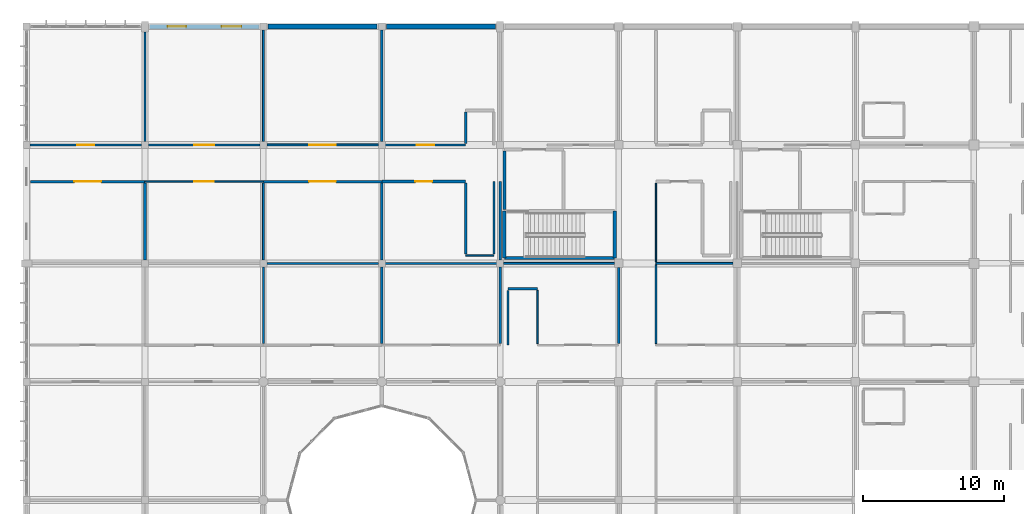
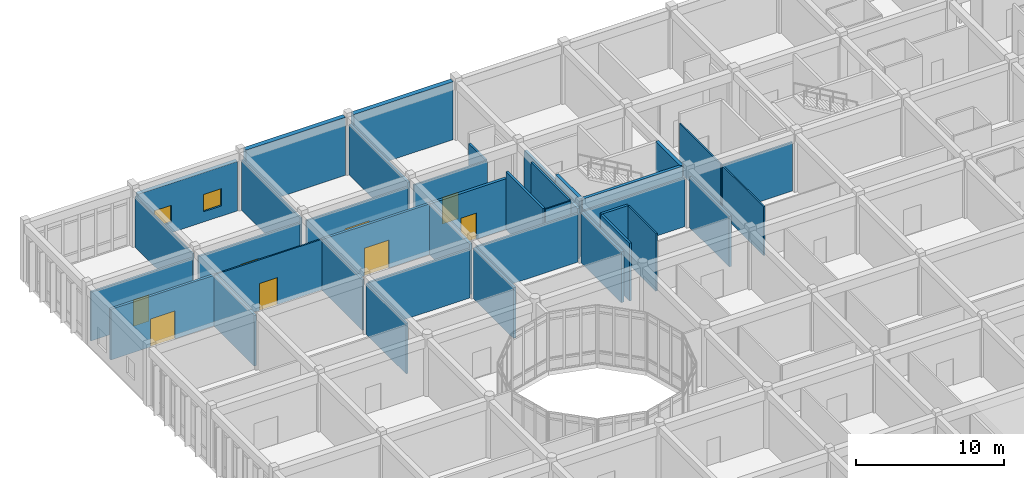
# One storey, part 99 of 134: 39 walls, 8 doors, 2 windows, 10 openings.
"""IFC4 building model written with IfcOpenShell, lengths in metres."""

import ifcopenshell
import ifcopenshell.guid

model = None  # the IFC model being written
_history = None  # IfcOwnerHistory: only IFC2X3 demands one
_inside = {}  # id of a spatial element -> (the spatial element, [elements in it])
_under = {}  # id of a project, library or spatial element -> (it, [spatial elements below it])
_declared = {}  # id of a project -> (the project, [libraries it declares])
_typed = {}  # id of a type object -> (the type object, [elements of that type])
_made_of = {}  # id of a material, layer set ... -> (it, [elements and type objects made of it])


def new_model(schema):
    """Start an empty IFC model of exactly this schema.

    Asked for "IFC4X3", IfcOpenShell would pick the latest addendum, in which some entities
    have other attributes; the version numbers below select the first issue.
    IFC2X3 requires an IfcOwnerHistory on every rooted entity: one is made here for all.
    """
    global model, _history
    if schema == "IFC4X3":
        model = ifcopenshell.file(schema_version=(4, 3, 0, 0))
    else:
        model = ifcopenshell.file(schema=schema)
    _inside.clear()
    _under.clear()
    _declared.clear()
    _typed.clear()
    _made_of.clear()
    _history = None
    if model.schema == "IFC2X3":
        org = make("IfcOrganization", Name="unknown")
        user = make(
            "IfcPersonAndOrganization",
            ThePerson=make("IfcPerson", FamilyName="unknown"),
            TheOrganization=org,
        )
        app = make(
            "IfcApplication",
            ApplicationDeveloper=org,
            Version="unknown",
            ApplicationFullName="unknown",
            ApplicationIdentifier="unknown",
        )
        _history = make(
            "IfcOwnerHistory",
            OwningUser=user,
            OwningApplication=app,
            ChangeAction="ADDED",
            CreationDate=0,
        )
    return model


def make(cls, **values):
    """One entity of the class cls with the attributes given. An attribute that is None is left unset."""
    return model.create_entity(
        cls, **{name: value for name, value in values.items() if value is not None}
    )


def rooted(cls, **values):
    """An entity with a GlobalId (a new one), such as an element, a storey or a relation."""
    return make(cls, GlobalId=ifcopenshell.guid.new(), OwnerHistory=_history, **values)


def si_unit(unit_type, name, prefix=None):
    """IfcSIUnit, for example si_unit("LENGTHUNIT", "METRE", prefix="MILLI")."""
    return make("IfcSIUnit", UnitType=unit_type, Prefix=prefix, Name=name)


def assignment(units):
    """IfcUnitAssignment: the units of a project."""
    return None if units is None else make("IfcUnitAssignment", Units=units)


def point(xyz):
    """IfcCartesianPoint."""
    return None if xyz is None else make("IfcCartesianPoint", Coordinates=xyz)


def direction(xyz):
    """IfcDirection."""
    return None if xyz is None else make("IfcDirection", DirectionRatios=xyz)


def frame(location, z_axis=None, x_axis=None):
    """IfcAxis2Placement3D, a coordinate frame: its origin and axes. An axis left out is left unset."""
    return make(
        "IfcAxis2Placement3D",
        Location=point(location),
        Axis=direction(z_axis),
        RefDirection=direction(x_axis),
    )


def frame_2d(location, x_axis=None):
    """IfcAxis2Placement2D, a coordinate frame in the plane: its origin and x axis."""
    return make(
        "IfcAxis2Placement2D", Location=point(location), RefDirection=direction(x_axis)
    )


def origin():
    """The frame at (0, 0, 0) with its axes left unset."""
    return frame((0.0, 0.0, 0.0))


def place(relative_to, where):
    """IfcLocalPlacement: puts the frame where relative to a parent placement (None: the world)."""
    return make(
        "IfcLocalPlacement", PlacementRelTo=relative_to, RelativePlacement=where
    )


def context(
    kind, dimensions, precision=None, world=None, true_north=None, identifier=None
):
    """IfcGeometricRepresentationContext, for example the 3D "Model" context."""
    return make(
        "IfcGeometricRepresentationContext",
        ContextIdentifier=identifier,
        ContextType=kind,
        CoordinateSpaceDimension=dimensions,
        Precision=precision,
        WorldCoordinateSystem=world,
        TrueNorth=true_north,
    )


def subcontext(parent, identifier, kind, view, scale=None):
    """IfcGeometricRepresentationSubContext, for example "Body" below "Model"."""
    return make(
        "IfcGeometricRepresentationSubContext",
        ContextIdentifier=identifier,
        ContextType=kind,
        ParentContext=parent,
        TargetScale=scale,
        TargetView=view,
    )


def project(units=None, contexts=None):
    """IfcProject with its units and contexts."""
    return rooted(
        "IfcProject",
        Name="project",
        RepresentationContexts=contexts,
        UnitsInContext=assignment(units),
    )


def spatial(cls, under=None, at=None, **own):
    """A site, building, storey or space (cls), placed at a placement, below another one or the project."""
    s = rooted(cls, ObjectPlacement=at, **own)
    if under is not None:
        _under.setdefault(under.id(), (under, []))[1].append(s)
    return s


def profile(cls, at=None, kind="AREA", **sizes):
    """A parametric profile (cls). Its sizes go by their IFC names, for example OverallWidth=200.0."""
    return make(cls, ProfileType=kind, Position=at, **sizes)


def rectangle(**sizes):
    """IfcRectangleProfileDef."""
    return profile("IfcRectangleProfileDef", **sizes)


def extrude(swept, where, along, depth):
    """IfcExtrudedAreaSolid: the profile swept, set in the frame where, extruded along a direction by depth."""
    return make(
        "IfcExtrudedAreaSolid",
        SweptArea=swept,
        Position=where,
        ExtrudedDirection=direction(along),
        Depth=depth,
    )


def shape(context_of_items, identifier, shape_type, items):
    """IfcShapeRepresentation: the items that make up one representation, for example the "Body"."""
    return make(
        "IfcShapeRepresentation",
        ContextOfItems=context_of_items,
        RepresentationIdentifier=identifier,
        RepresentationType=shape_type,
        Items=items,
    )


def material(Name=None, Category=None):
    """IfcMaterial."""
    return make("IfcMaterial", Name=Name, Category=Category)


def layer(
    of_material, thickness, ventilated=None, Name=None, Category=None, Priority=None
):
    """IfcMaterialLayer: one layer of a wall or slab, of a material (None: an air gap)."""
    return make(
        "IfcMaterialLayer",
        Material=of_material,
        LayerThickness=thickness,
        IsVentilated=ventilated,
        Name=Name,
        Category=Category,
        Priority=Priority,
    )


def layer_set(layers, Name=None):
    """IfcMaterialLayerSet."""
    return make("IfcMaterialLayerSet", MaterialLayers=layers, LayerSetName=Name)


def made_of(thing, what):
    """Note that an element or type object is made of a material, layer set ...; save() writes the relation."""
    if what is not None:
        _made_of.setdefault(what.id(), (what, []))[1].append(thing)
    return thing


def type_object(cls, material=None, **own):
    """A type object (cls), such as IfcWallType, which elements share."""
    return made_of(rooted(cls, **own), material)


def element(
    cls,
    number,
    at=None,
    inside=None,
    cuts=None,
    type_object=None,
    material=None,
    context=None,
    identifier="Body",
    shape_type=None,
    held_by="IfcProductDefinitionShape",
    body=None,
    shapes=None,
    **own,
):
    """One element of the class cls, such as IfcWall. Its Tag is "e" and its number.

    at: its placement. inside: the storey or other place that contains it. cuts: it is an
    opening in that element (IfcRelVoidsElement). A single representation is given by context,
    identifier, shape_type and body (its items); several are given by shapes. held_by: the class
    of the entity that holds the representations. save() writes the other relations.
    """
    e = rooted(cls, Tag="e%d" % number, ObjectPlacement=at, **own)
    if body is not None:
        shapes = [shape(context, identifier, shape_type, body)]
    if shapes is not None:
        e.Representation = make(held_by, Representations=shapes)
    if inside is not None:
        _inside.setdefault(inside.id(), (inside, []))[1].append(e)
    if cuts is not None:
        rooted(
            "IfcRelVoidsElement", RelatingBuildingElement=cuts, RelatedOpeningElement=e
        )
    if type_object is not None:
        _typed.setdefault(type_object.id(), (type_object, []))[1].append(e)
    return made_of(e, material)


def fill(opening, filler):
    """IfcRelFillsElement: the door or window that sits in an opening."""
    return rooted(
        "IfcRelFillsElement",
        RelatingOpeningElement=opening,
        RelatedBuildingElement=filler,
    )


def aggregate(whole, parts):
    """IfcRelAggregates: a whole, such as a stair, and the parts it consists of."""
    return rooted("IfcRelAggregates", RelatingObject=whole, RelatedObjects=parts)


def save(model, path):
    """Write the relations noted so far, then the file.

    IfcRelAggregates (storeys below a building ...), IfcRelContainedInSpatialStructure (elements
    in a storey), IfcRelDefinesByType, IfcRelAssociatesMaterial and IfcRelDeclares: one each for
    every whole, place, type object, material and project.
    """
    for whole, parts in _under.values():
        aggregate(whole, parts)
    for where, things in _inside.values():
        rooted(
            "IfcRelContainedInSpatialStructure",
            RelatedElements=things,
            RelatingStructure=where,
        )
    for kind, things in _typed.values():
        rooted("IfcRelDefinesByType", RelatedObjects=things, RelatingType=kind)
    for what, things in _made_of.values():
        rooted("IfcRelAssociatesMaterial", RelatedObjects=things, RelatingMaterial=what)
    for by, libraries in _declared.values():
        rooted("IfcRelDeclares", RelatingContext=by, RelatedDefinitions=libraries)
    model.write(path)


model = new_model("IFC4")

# Units and contexts
model_context = context("Model", 3, precision=1e-05, world=origin(), true_north=direction((0.0, 1.0)))
body_context = subcontext(model_context, "Body", "Model", "MODEL_VIEW")
ifc_project = project(units=[si_unit("LENGTHUNIT", "METRE"), si_unit("AREAUNIT", "SQUARE_METRE"), si_unit("VOLUMEUNIT", "CUBIC_METRE"), si_unit("PLANEANGLEUNIT", "RADIAN"), si_unit("MASSUNIT", "GRAM", prefix="KILO")], contexts=[model_context])

# Site, building, storey
site_placement = place(None, origin())
site = spatial("IfcSite", under=ifc_project, at=site_placement, CompositionType="ELEMENT")
building_placement = place(site_placement, origin())
building = spatial("IfcBuilding", under=site, at=building_placement, Name="Bramfleet General Hospital", CompositionType="ELEMENT")
storey_placement = place(building_placement, frame((0.0, 0.0, 9.300048828125)))
storey = spatial("IfcBuildingStorey", under=building, at=storey_placement, Name="L02", CompositionType="ELEMENT", Elevation=9.300048828125)

# Walls
ifc_material_1 = material(Name="Concrete C35/45", Category="concrete")
ifc_layer_1 = layer(ifc_material_1, 0.360107421875, Name="WT-EW-02")
ifc_layer_set_1 = layer_set([ifc_layer_1], Name="Concrete C35/45")
wall_type_1 = type_object("IfcWallType", Name="WT-EW-02", PredefinedType="SOLIDWALL", material=ifc_layer_set_1)
for number, where, z_axis, x_axis, name in (
    (1, (17.125, 117.60009765625, 0.0), (0.0, 0.0, 1.0), (1.0, 0.0, 0.0), "L02 North REI 90-M Party Wall 199"),
    (2, (25.52490234375, 117.60009765625, 0.0), (0.0, 0.0, 1.0), (1.0, 0.0, 0.0), "L02 North REI 90-M Party Wall 200"),
):
    element("IfcWall", number, at=place(storey_placement, frame(where, z_axis=z_axis, x_axis=x_axis)), inside=storey, type_object=wall_type_1, Name=name, PredefinedType="SOLIDWALL", context=body_context, shape_type="SweptSolid", body=[
        extrude(rectangle(XDim=7.75, YDim=0.360107421875, at=frame_2d((3.875, 0.0))), origin(), (0.0, 0.0, 1.0), 4.780029296875),
    ])

# Wall, openings, windows
ifc_material_2 = material(Name="Precast concrete C40/50", Category="concrete")
ifc_layer_2 = layer(ifc_material_2, 0.31494140625, Name="WT-EW-04")
ifc_layer_set_2 = layer_set([ifc_layer_2], Name="Precast concrete C40/50")
wall_type_2 = type_object("IfcWallType", Name="WT-EW-04", PredefinedType="SOLIDWALL", material=ifc_layer_set_2)
wall_1_placement = place(storey_placement, frame((8.72509765625, 117.60009765625, 0.0), z_axis=(0.0, 0.0, 1.0), x_axis=(1.0, 0.0, 0.0)))
wall_1 = element("IfcWall", 3, at=wall_1_placement, inside=storey, type_object=wall_type_2, Name="L02 Exterior Wall 198", PredefinedType="SOLIDWALL", context=body_context, shape_type="SweptSolid", body=[
    extrude(rectangle(XDim=7.75, YDim=0.31494140625, at=frame_2d((3.875, 0.0))), origin(), (0.0, 0.0, 1.0), 4.070068359375),
])
opening_1_placement = place(wall_1_placement, frame((1.28759765625, 0.0, 0.85009765625)))
opening_1 = element("IfcOpeningElement", 4, at=opening_1_placement, cuts=wall_1, Name="Opening W-14", PredefinedType="OPENING", context=body_context, shape_type="SweptSolid", body=[
    extrude(rectangle(XDim=1.300048828125, YDim=1.419921875, at=frame_2d((0.64990234375, 0.7099609375))), frame((0.0, 0.16748046875, 0.0), z_axis=(0.0, -1.0, 0.0), x_axis=(1.0, 0.0, 0.0)), (0.0, 0.0, 1.0), 0.3349609375),
])
opening_2_placement = place(wall_1_placement, frame((5.112548828125, 0.0, 0.85009765625)))
opening_2 = element("IfcOpeningElement", 5, at=opening_2_placement, cuts=wall_1, Name="Opening W-15", PredefinedType="OPENING", context=body_context, shape_type="SweptSolid", body=[
    extrude(rectangle(XDim=1.39990234375, YDim=1.419921875, at=frame_2d((0.699951171875, 0.7099609375))), frame((0.0, 0.16748046875, 0.0), z_axis=(0.0, -1.0, 0.0), x_axis=(1.0, 0.0, 0.0)), (0.0, 0.0, 1.0), 0.3349609375),
])
ifc_material_3 = material(Name="Anodised aluminium and low-E triple glazing", Category="aluminium")
window_type_1 = type_object("IfcWindowType", Name="WIN-W-14", PartitioningType="SINGLE_PANEL", PredefinedType="WINDOW", material=ifc_material_3)
window_1_placement = place(opening_1_placement, origin())
window_1 = element("IfcWindow", 6, at=window_1_placement, inside=storey, type_object=window_type_1, Name="L02 Facade Window WIN-L02-198-1", OverallHeight=1.419921875, OverallWidth=1.300048828125, PartitioningType="SINGLE_PANEL", PredefinedType="WINDOW", context=body_context, shape_type="SweptSolid", body=[
    extrude(rectangle(XDim=1.300048828125, YDim=1.419921875, at=frame_2d((0.64990234375, 0.7099609375))), frame((0.0, 0.030029296875, 0.0), z_axis=(0.0, -1.0, 0.0), x_axis=(1.0, 0.0, 0.0)), (0.0, 0.0, 1.0), 0.06005859375),
])
fill(opening_1, window_1)
window_type_2 = type_object("IfcWindowType", Name="WIN-W-15", PartitioningType="SINGLE_PANEL", PredefinedType="WINDOW", material=ifc_material_3)
window_2_placement = place(opening_2_placement, origin())
window_2 = element("IfcWindow", 7, at=window_2_placement, inside=storey, type_object=window_type_2, Name="L02 Facade Window WIN-L02-198-2", OverallHeight=1.419921875, OverallWidth=1.39990234375, PartitioningType="SINGLE_PANEL", PredefinedType="WINDOW", context=body_context, shape_type="SweptSolid", body=[
    extrude(rectangle(XDim=1.39990234375, YDim=1.419921875, at=frame_2d((0.699951171875, 0.7099609375))), frame((0.0, 0.030029296875, 0.0), z_axis=(0.0, -1.0, 0.0), x_axis=(1.0, 0.0, 0.0)), (0.0, 0.0, 1.0), 0.06005859375),
])
fill(opening_2, window_2)

# Wall, opening, door
ifc_layer_3 = layer(ifc_material_1, 0.219970703125, Name="WT-IW-01")
ifc_layer_set_3 = layer_set([ifc_layer_3], Name="Concrete C35/45")
wall_type_3 = type_object("IfcWallType", Name="WT-IW-01", PredefinedType="PARTITIONING", material=ifc_layer_set_3)
wall_2_placement = place(storey_placement, frame((25.199951171875, 106.60009765625, 0.0), z_axis=(0.0, 0.0, 1.0), x_axis=(1.0, 0.0, 0.0)))
wall_2 = element("IfcWall", 8, at=wall_2_placement, inside=storey, type_object=wall_type_3, Name="L02 Interior Partition IW-L02-2149", PredefinedType="PARTITIONING", context=body_context, shape_type="SweptSolid", body=[
    extrude(rectangle(XDim=5.949951171875, YDim=0.219970703125, at=frame_2d((2.97509765625, 0.0))), origin(), (0.0, 0.0, 1.0), 4.169921875),
])
opening_3_placement = place(wall_2_placement, frame((2.375, 0.0, 0.0)))
opening_3 = element("IfcOpeningElement", 9, at=opening_3_placement, cuts=wall_2, Name="Opening D0877", PredefinedType="OPENING", context=body_context, shape_type="SweptSolid", body=[
    extrude(rectangle(XDim=1.199951171875, YDim=2.14990234375, at=frame_2d((0.60009765625, 1.074951171875))), frame((0.0, 0.119873046875, 0.0), z_axis=(0.0, -1.0, 0.0), x_axis=(1.0, 0.0, 0.0)), (0.0, 0.0, 1.0), 0.239990234375),
])
ifc_material_4 = material(Name="Stainless steel and acoustic timber leaf", Category="steel")
door_type_1 = type_object("IfcDoorType", Name="DR-D-13", OperationType="NOTDEFINED", PredefinedType="DOOR", material=ifc_material_4)
door_1_placement = place(opening_3_placement, origin())
door_1 = element("IfcDoor", 10, at=door_1_placement, inside=storey, type_object=door_type_1, Name="Post-Anaesthesia Recovery Ward Bay L02-0312 Door D0877", OperationType="SINGLE_SWING_RIGHT", OverallHeight=2.14990234375, OverallWidth=1.199951171875, PredefinedType="DOOR", context=body_context, shape_type="SweptSolid", body=[
    extrude(rectangle(XDim=1.199951171875, YDim=2.14990234375, at=frame_2d((0.60009765625, 1.074951171875))), frame((0.0, 0.02490234375, 0.0), z_axis=(0.0, -1.0, 0.0), x_axis=(1.0, 0.0, 0.0)), (0.0, 0.0, 1.0), 0.050048828125),
])
fill(opening_3, door_1)

# Walls
ifc_layer_4 = layer(ifc_material_1, 0.205078125, Name="WT-IW-02")
ifc_layer_set_4 = layer_set([ifc_layer_4], Name="Concrete C35/45")
wall_type_4 = type_object("IfcWallType", Name="WT-IW-02", PredefinedType="PARTITIONING", material=ifc_layer_set_4)
wall_3_placement = place(storey_placement, frame((33.89990234375, 104.639892578125, 0.0), z_axis=(0.0, 0.0, 1.0), x_axis=(0.0, 1.0, 0.0)))
element("IfcWall", 11, at=wall_3_placement, inside=storey, type_object=wall_type_4, Name="L02 C8 Lobby West Compartment Wall", PredefinedType="PARTITIONING", context=body_context, shape_type="SweptSolid", body=[
    extrude(rectangle(XDim=4.1201171875, YDim=0.205078125, at=frame_2d((2.06005859375, 0.0))), origin(), (0.0, 0.0, 1.0), 4.169921875),
])
for number, where, z_axis, x_axis, name in (
    (12, (25.199951171875, 95.114990234375, 0.0), (0.0, 0.0, 1.0), (0.0, 1.0, 0.0), "L02 Interior Partition IW-L02-2222"),
    (13, (33.60009765625, 95.114990234375, 0.0), (0.0, 0.0, 1.0), (0.0, 1.0, 0.0), "L02 Interior Partition IW-L02-2234"),
):
    element("IfcWall", number, at=place(storey_placement, frame(where, z_axis=z_axis, x_axis=x_axis)), inside=storey, type_object=wall_type_4, Name=name, PredefinedType="PARTITIONING", context=body_context, shape_type="SweptSolid", body=[
        extrude(rectangle(XDim=5.43994140625, YDim=0.205078125, at=frame_2d((2.719970703125, 0.0))), origin(), (0.0, 0.0, 1.0), 4.169921875),
    ])
ifc_layer_5 = layer(ifc_material_1, 0.18994140625, Name="WT-IW-03")
ifc_layer_set_5 = layer_set([ifc_layer_5], Name="Concrete C35/45")
wall_type_5 = type_object("IfcWallType", Name="WT-IW-03", PredefinedType="PARTITIONING", material=ifc_layer_set_5)
wall_4_placement = place(storey_placement, frame((34.14990234375, 99.0, 0.0), z_axis=(0.0, 0.0, 1.0), x_axis=(1.0, 0.0, 0.0)))
element("IfcWall", 14, at=wall_4_placement, inside=storey, type_object=wall_type_5, Name="L02 Interior Partition IW-L02-2115", PredefinedType="PARTITIONING", context=body_context, shape_type="SweptSolid", body=[
    extrude(rectangle(XDim=2.10009765625, YDim=0.18994140625, at=frame_2d((1.050048828125, 0.0))), origin(), (0.0, 0.0, 1.0), 4.77001953125),
])

# Wall, opening, door
wall_5_placement = place(storey_placement, frame((0.280029296875, 106.60009765625, 0.0), z_axis=(0.0, 0.0, 1.0), x_axis=(1.0, 0.0, 0.0)))
wall_5 = element("IfcWall", 15, at=wall_5_placement, inside=storey, type_object=wall_type_5, Name="L02 Interior Partition IW-L02-2146", PredefinedType="PARTITIONING", context=body_context, shape_type="SweptSolid", body=[
    extrude(rectangle(XDim=8.119873046875, YDim=0.18994140625, at=frame_2d((4.06005859375, 0.0))), origin(), (0.0, 0.0, 1.0), 4.169921875),
])
opening_4_placement = place(wall_5_placement, frame((3.110107421875, 0.0, 0.0)))
opening_4 = element("IfcOpeningElement", 16, at=opening_4_placement, cuts=wall_5, Name="Opening D0854", PredefinedType="OPENING", context=body_context, shape_type="SweptSolid", body=[
    extrude(rectangle(XDim=1.89990234375, YDim=2.300048828125, at=frame_2d((0.949951171875, 1.14990234375))), frame((0.0, 0.10498046875, 0.0), z_axis=(0.0, -1.0, 0.0), x_axis=(1.0, 0.0, 0.0)), (0.0, 0.0, 1.0), 0.2099609375),
])
door_type_2 = type_object("IfcDoorType", Name="DR-D-06", OperationType="NOTDEFINED", PredefinedType="DOOR", material=ifc_material_4)
door_2_placement = place(opening_4_placement, origin())
door_2 = element("IfcDoor", 17, at=door_2_placement, inside=storey, type_object=door_type_2, Name="Operating Theatre 4 Door D0854", OperationType="SLIDING_TO_LEFT", OverallHeight=2.300048828125, OverallWidth=1.89990234375, PredefinedType="DOOR", context=body_context, shape_type="SweptSolid", body=[
    extrude(rectangle(XDim=1.89990234375, YDim=2.300048828125, at=frame_2d((0.949951171875, 1.14990234375))), frame((0.0, 0.02490234375, 0.0), z_axis=(0.0, -1.0, 0.0), x_axis=(1.0, 0.0, 0.0)), (0.0, 0.0, 1.0), 0.050048828125),
])
fill(opening_4, door_2)

wall_6_placement = place(storey_placement, frame((16.800048828125, 106.60009765625, 0.0), z_axis=(0.0, 0.0, 1.0), x_axis=(1.0, 0.0, 0.0)))
wall_6 = element("IfcWall", 18, at=wall_6_placement, inside=storey, type_object=wall_type_5, Name="L02 Interior Partition IW-L02-2148", PredefinedType="PARTITIONING", context=body_context, shape_type="SweptSolid", body=[
    extrude(rectangle(XDim=8.39990234375, YDim=0.18994140625, at=frame_2d((4.199951171875, 0.0))), origin(), (0.0, 0.0, 1.0), 4.169921875),
])
opening_5_placement = place(wall_6_placement, frame((3.25, 0.0, 0.0)))
opening_5 = element("IfcOpeningElement", 19, at=opening_5_placement, cuts=wall_6, Name="Opening D0869", PredefinedType="OPENING", context=body_context, shape_type="SweptSolid", body=[
    extrude(rectangle(XDim=1.89990234375, YDim=2.300048828125, at=frame_2d((0.949951171875, 1.14990234375))), frame((0.0, 0.10498046875, 0.0), z_axis=(0.0, -1.0, 0.0), x_axis=(1.0, 0.0, 0.0)), (0.0, 0.0, 1.0), 0.2099609375),
])
door_3_placement = place(opening_5_placement, origin())
door_3 = element("IfcDoor", 20, at=door_3_placement, inside=storey, type_object=door_type_2, Name="Operating Theatre 5 Door D0869", OperationType="SLIDING_TO_LEFT", OverallHeight=2.300048828125, OverallWidth=1.89990234375, PredefinedType="DOOR", context=body_context, shape_type="SweptSolid", body=[
    extrude(rectangle(XDim=1.89990234375, YDim=2.300048828125, at=frame_2d((0.949951171875, 1.14990234375))), frame((0.0, 0.02490234375, 0.0), z_axis=(0.0, -1.0, 0.0), x_axis=(1.0, 0.0, 0.0)), (0.0, 0.0, 1.0), 0.050048828125),
])
fill(opening_5, door_3)

# Walls
for number, where, z_axis, x_axis, name in (
    (21, (8.39990234375, 101.044921875, 0.0), (0.0, 0.0, 1.0), (0.0, 1.0, 0.0), "L02 Interior Partition IW-L02-2206"),
    (22, (25.199951171875, 101.044921875, 0.0), (0.0, 0.0, 1.0), (0.0, 1.0, 0.0), "L02 Interior Partition IW-L02-2223"),
):
    element("IfcWall", number, at=place(storey_placement, frame(where, z_axis=z_axis, x_axis=x_axis)), inside=storey, type_object=wall_type_5, Name=name, PredefinedType="PARTITIONING", context=body_context, shape_type="SweptSolid", body=[
        extrude(rectangle(XDim=5.440185546875, YDim=0.18994140625, at=frame_2d((2.72021484375, 0.0))), origin(), (0.0, 0.0, 1.0), 4.169921875),
    ])
wall_7_placement = place(storey_placement, frame((33.60009765625, 101.044921875, 0.0), z_axis=(0.0, 0.0, 1.0), x_axis=(0.0, 1.0, 0.0)))
element("IfcWall", 23, at=wall_7_placement, inside=storey, type_object=wall_type_5, Name="L02 Interior Partition IW-L02-2235", PredefinedType="PARTITIONING", context=body_context, shape_type="SweptSolid", body=[
    extrude(rectangle(XDim=5.55517578125, YDim=0.18994140625, at=frame_2d((2.777587890625, 0.0))), origin(), (0.0, 0.0, 1.0), 4.169921875),
])
ifc_layer_6 = layer(ifc_material_1, 0.179931640625, Name="WT-IW-04")
ifc_layer_set_6 = layer_set([ifc_layer_6], Name="Concrete C35/45")
wall_type_6 = type_object("IfcWallType", Name="WT-IW-04", PredefinedType="PARTITIONING", material=ifc_layer_set_6)
wall_8_placement = place(storey_placement, frame((25.199951171875, 109.445068359375, 0.0), z_axis=(0.0, 0.0, 1.0), x_axis=(0.0, 1.0, 0.0)))
element("IfcWall", 24, at=wall_8_placement, inside=storey, type_object=wall_type_6, Name="L02 Interior Partition IW-L02-2224", PredefinedType="PARTITIONING", context=body_context, shape_type="SweptSolid", body=[
    extrude(rectangle(XDim=7.909912109375, YDim=0.179931640625, at=frame_2d((3.955078125, 0.0))), origin(), (0.0, 0.0, 1.0), 4.169921875),
])
ifc_material_5 = material(Name="Gypsum plasterboard on acoustic steel studs", Category="steel")
ifc_layer_7 = layer(ifc_material_5, 0.169921875, Name="WT-IW-05")
ifc_layer_set_7 = layer_set([ifc_layer_7], Name="Gypsum plasterboard on acoustic steel studs")
wall_type_7 = type_object("IfcWallType", Name="WT-IW-05", PredefinedType="PARTITIONING", material=ifc_layer_set_7)
wall_9_placement = place(storey_placement, frame((31.14990234375, 101.465087890625, 0.0), z_axis=(0.0, 0.0, 1.0), x_axis=(0.0, 1.0, 0.0)))
element("IfcWall", 25, at=wall_9_placement, inside=storey, type_object=wall_type_7, Name="L02 Interior Partition IW-L02-2225", PredefinedType="PARTITIONING", context=body_context, shape_type="SweptSolid", body=[
    extrude(rectangle(XDim=5.02001953125, YDim=0.169921875, at=frame_2d((2.510009765625, 0.0))), origin(), (0.0, 0.0, 1.0), 4.77001953125),
])
wall_10_placement = place(storey_placement, frame((34.14990234375, 95.0, 0.0), z_axis=(0.0, 0.0, 1.0), x_axis=(0.0, 1.0, 0.0)))
element("IfcWall", 26, at=wall_10_placement, inside=storey, type_object=wall_type_7, Name="L02 Interior Partition IW-L02-2237", PredefinedType="PARTITIONING", context=body_context, shape_type="SweptSolid", body=[
    extrude(rectangle(XDim=3.885009765625, YDim=0.169921875, at=frame_2d((1.9423828125, 0.0))), origin(), (0.0, 0.0, 1.0), 4.77001953125),
])
wall_11_placement = place(storey_placement, frame((42.0, 95.114990234375, 0.0), z_axis=(0.0, 0.0, 1.0), x_axis=(0.0, 1.0, 0.0)))
element("IfcWall", 27, at=wall_11_placement, inside=storey, type_object=wall_type_7, Name="L02 Interior Partition IW-L02-2249", PredefinedType="PARTITIONING", context=body_context, shape_type="SweptSolid", body=[
    extrude(rectangle(XDim=5.389892578125, YDim=0.169921875, at=frame_2d((2.69482421875, 0.0))), origin(), (0.0, 0.0, 1.0), 4.169921875),
])
ifc_layer_8 = layer(ifc_material_5, 0.159912109375, Name="WT-IW-06")
ifc_layer_set_8 = layer_set([ifc_layer_8], Name="Gypsum plasterboard on acoustic steel studs")
wall_type_8 = type_object("IfcWallType", Name="WT-IW-06", PredefinedType="PARTITIONING", material=ifc_layer_set_8)
wall_12_placement = place(storey_placement, frame((17.044921875, 100.800048828125, 0.0), z_axis=(0.0, 0.0, 1.0), x_axis=(1.0, 0.0, 0.0)))
element("IfcWall", 28, at=wall_12_placement, inside=storey, type_object=wall_type_8, Name="L02 Interior Partition IW-L02-2118", PredefinedType="PARTITIONING", context=body_context, shape_type="SweptSolid", body=[
    extrude(rectangle(XDim=7.91015625, YDim=0.159912109375, at=frame_2d((3.955078125, 0.0))), origin(), (0.0, 0.0, 1.0), 4.02001953125),
])

# Wall, opening, door
wall_13_placement = place(storey_placement, frame((0.2451171875, 109.199951171875, 0.0), z_axis=(0.0, 0.0, 1.0), x_axis=(1.0, 0.0, 0.0)))
wall_13 = element("IfcWall", 29, at=wall_13_placement, inside=storey, type_object=wall_type_8, Name="L02 Interior Partition IW-L02-2166", PredefinedType="PARTITIONING", context=body_context, shape_type="SweptSolid", body=[
    extrude(rectangle(XDim=7.909912109375, YDim=0.159912109375, at=frame_2d((3.955078125, 0.0))), origin(), (0.0, 0.0, 1.0), 4.02001953125),
])
opening_6_placement = place(wall_13_placement, frame((3.344970703125, 0.0, 0.0)))
opening_6 = element("IfcOpeningElement", 30, at=opening_6_placement, cuts=wall_13, Name="Opening D0855", PredefinedType="OPENING", context=body_context, shape_type="SweptSolid", body=[
    extrude(rectangle(XDim=1.219970703125, YDim=2.179931640625, at=frame_2d((0.60986328125, 1.08984375))), frame((0.0, 0.08984375, 0.0), z_axis=(0.0, -1.0, 0.0), x_axis=(1.0, 0.0, 0.0)), (0.0, 0.0, 1.0), 0.179931640625),
])
door_type_3 = type_object("IfcDoorType", Name="DR-D-23", OperationType="NOTDEFINED", PredefinedType="DOOR", material=ifc_material_4)
door_4_placement = place(opening_6_placement, origin())
door_4 = element("IfcDoor", 31, at=door_4_placement, inside=storey, type_object=door_type_3, Name="Surgical Scrub and Anaesthetic Induction 0013 Door D0855", OperationType="SINGLE_SWING_RIGHT", OverallHeight=2.179931640625, OverallWidth=1.219970703125, PredefinedType="DOOR", context=body_context, shape_type="SweptSolid", body=[
    extrude(rectangle(XDim=1.219970703125, YDim=2.179931640625, at=frame_2d((0.60986328125, 1.08984375))), frame((0.0, 0.02490234375, 0.0), z_axis=(0.0, -1.0, 0.0), x_axis=(1.0, 0.0, 0.0)), (0.0, 0.0, 1.0), 0.050048828125),
])
fill(opening_6, door_4)

# Walls
wall_14_placement = place(storey_placement, frame((31.14990234375, 109.31494140625, 0.0), z_axis=(0.0, 0.0, 1.0), x_axis=(0.0, 1.0, 0.0)))
element("IfcWall", 32, at=wall_14_placement, inside=storey, type_object=wall_type_8, Name="L02 Interior Partition IW-L02-2226", PredefinedType="PARTITIONING", context=body_context, shape_type="SweptSolid", body=[
    extrude(rectangle(XDim=2.219970703125, YDim=0.159912109375, at=frame_2d((1.10986328125, 0.0))), origin(), (0.0, 0.0, 1.0), 4.02001953125),
])
ifc_layer_9 = layer(ifc_material_5, 0.14990234375, Name="WT-IW-07")
ifc_layer_set_9 = layer_set([ifc_layer_9], Name="Gypsum plasterboard on acoustic steel studs")
wall_type_9 = type_object("IfcWallType", Name="WT-IW-07", PredefinedType="PARTITIONING", material=ifc_layer_set_9)
wall_15_placement = place(storey_placement, frame((25.445068359375, 100.800048828125, 0.0), z_axis=(0.0, 0.0, 1.0), x_axis=(1.0, 0.0, 0.0)))
element("IfcWall", 33, at=wall_15_placement, inside=storey, type_object=wall_type_9, Name="L02 Interior Partition IW-L02-2119", PredefinedType="PARTITIONING", context=body_context, shape_type="SweptSolid", body=[
    extrude(rectangle(XDim=7.909912109375, YDim=0.14990234375, at=frame_2d((3.955078125, 0.0))), origin(), (0.0, 0.0, 1.0), 4.02001953125),
])

# Wall, opening, door
wall_16_placement = place(storey_placement, frame((8.64501953125, 109.199951171875, 0.0), z_axis=(0.0, 0.0, 1.0), x_axis=(1.0, 0.0, 0.0)))
wall_16 = element("IfcWall", 34, at=wall_16_placement, inside=storey, type_object=wall_type_9, Name="L02 Interior Partition IW-L02-2167", PredefinedType="PARTITIONING", context=body_context, shape_type="SweptSolid", body=[
    extrude(rectangle(XDim=7.909912109375, YDim=0.14990234375, at=frame_2d((3.955078125, 0.0))), origin(), (0.0, 0.0, 1.0), 4.02001953125),
])
opening_7_placement = place(wall_16_placement, frame((3.2451171875, 0.0, 0.0)))
opening_7 = element("IfcOpeningElement", 35, at=opening_7_placement, cuts=wall_16, Name="Opening D0863", PredefinedType="OPENING", context=body_context, shape_type="SweptSolid", body=[
    extrude(rectangle(XDim=1.419921875, YDim=2.219970703125, at=frame_2d((0.7099609375, 1.10986328125))), frame((0.0, 0.0849609375, 0.0), z_axis=(0.0, -1.0, 0.0), x_axis=(1.0, 0.0, 0.0)), (0.0, 0.0, 1.0), 0.169921875),
])
door_type_4 = type_object("IfcDoorType", Name="DR-D-31", OperationType="NOTDEFINED", PredefinedType="DOOR", material=ifc_material_4)
door_5_placement = place(opening_7_placement, origin())
door_5 = element("IfcDoor", 36, at=door_5_placement, inside=storey, type_object=door_type_4, Name="Surgical Scrub and Anaesthetic Induction 0113 Door D0863", OperationType="SINGLE_SWING_RIGHT", OverallHeight=2.219970703125, OverallWidth=1.419921875, PredefinedType="DOOR", context=body_context, shape_type="SweptSolid", body=[
    extrude(rectangle(XDim=1.419921875, YDim=2.219970703125, at=frame_2d((0.7099609375, 1.10986328125))), frame((0.0, 0.02490234375, 0.0), z_axis=(0.0, -1.0, 0.0), x_axis=(1.0, 0.0, 0.0)), (0.0, 0.0, 1.0), 0.050048828125),
])
fill(opening_7, door_5)

# Walls
wall_17_placement = place(storey_placement, frame((16.800048828125, 95.114990234375, 0.0), z_axis=(0.0, 0.0, 1.0), x_axis=(0.0, 1.0, 0.0)))
element("IfcWall", 37, at=wall_17_placement, inside=storey, type_object=wall_type_9, Name="L02 Interior Partition IW-L02-2215", PredefinedType="PARTITIONING", context=body_context, shape_type="SweptSolid", body=[
    extrude(rectangle(XDim=5.43994140625, YDim=0.14990234375, at=frame_2d((2.719970703125, 0.0))), origin(), (0.0, 0.0, 1.0), 4.169921875),
])
wall_18_placement = place(storey_placement, frame((33.14990234375, 101.465087890625, 0.0), z_axis=(0.0, 0.0, 1.0), x_axis=(0.0, 1.0, 0.0)))
element("IfcWall", 38, at=wall_18_placement, inside=storey, type_object=wall_type_9, Name="L02 Interior Partition IW-L02-2227", PredefinedType="PARTITIONING", context=body_context, shape_type="SweptSolid", body=[
    extrude(rectangle(XDim=5.135009765625, YDim=0.14990234375, at=frame_2d((2.5673828125, 0.0))), origin(), (0.0, 0.0, 1.0), 4.77001953125),
])
ifc_layer_10 = layer(ifc_material_5, 0.139892578125, Name="WT-IW-08")
ifc_layer_set_10 = layer_set([ifc_layer_10], Name="Gypsum plasterboard on acoustic steel studs")
wall_type_10 = type_object("IfcWallType", Name="WT-IW-08", PredefinedType="PARTITIONING", material=ifc_layer_set_10)
wall_19_placement = place(storey_placement, frame((33.844970703125, 100.800048828125, 0.0), z_axis=(0.0, 0.0, 1.0), x_axis=(1.0, 0.0, 0.0)))
element("IfcWall", 39, at=wall_19_placement, inside=storey, type_object=wall_type_10, Name="L02 Interior Partition IW-L02-2120", PredefinedType="PARTITIONING", context=body_context, shape_type="SweptSolid", body=[
    extrude(rectangle(XDim=7.860107421875, YDim=0.139892578125, at=frame_2d((3.93017578125, 0.0))), origin(), (0.0, 0.0, 1.0), 4.02001953125),
])

# Wall, opening, door
wall_20_placement = place(storey_placement, frame((17.044921875, 109.199951171875, 0.0), z_axis=(0.0, 0.0, 1.0), x_axis=(1.0, 0.0, 0.0)))
wall_20 = element("IfcWall", 40, at=wall_20_placement, inside=storey, type_object=wall_type_10, Name="L02 Interior Partition IW-L02-2168", PredefinedType="PARTITIONING", context=body_context, shape_type="SweptSolid", body=[
    extrude(rectangle(XDim=7.91015625, YDim=0.139892578125, at=frame_2d((3.955078125, 0.0))), origin(), (0.0, 0.0, 1.0), 4.02001953125),
])
opening_8_placement = place(wall_20_placement, frame((3.0048828125, 0.0, 0.0)))
opening_8 = element("IfcOpeningElement", 41, at=opening_8_placement, cuts=wall_20, Name="Opening D0870", PredefinedType="OPENING", context=body_context, shape_type="SweptSolid", body=[
    extrude(rectangle(XDim=1.89990234375, YDim=2.300048828125, at=frame_2d((0.949951171875, 1.14990234375))), frame((0.0, 0.079833984375, 0.0), z_axis=(0.0, -1.0, 0.0), x_axis=(1.0, 0.0, 0.0)), (0.0, 0.0, 1.0), 0.159912109375),
])
door_6_placement = place(opening_8_placement, origin())
door_6 = element("IfcDoor", 42, at=door_6_placement, inside=storey, type_object=door_type_2, Name="Surgical Scrub and Anaesthetic Induction 0213 Door D0870", OperationType="DOUBLE_SWING_LEFT", OverallHeight=2.300048828125, OverallWidth=1.89990234375, PredefinedType="DOOR", context=body_context, shape_type="SweptSolid", body=[
    extrude(rectangle(XDim=1.89990234375, YDim=2.300048828125, at=frame_2d((0.949951171875, 1.14990234375))), frame((0.0, 0.02490234375, 0.0), z_axis=(0.0, -1.0, 0.0), x_axis=(1.0, 0.0, 0.0)), (0.0, 0.0, 1.0), 0.050048828125),
])
fill(opening_8, door_6)

# Walls
wall_21_placement = place(storey_placement, frame((16.800048828125, 101.044921875, 0.0), z_axis=(0.0, 0.0, 1.0), x_axis=(0.0, 1.0, 0.0)))
element("IfcWall", 43, at=wall_21_placement, inside=storey, type_object=wall_type_10, Name="L02 Interior Partition IW-L02-2216", PredefinedType="PARTITIONING", context=body_context, shape_type="SweptSolid", body=[
    extrude(rectangle(XDim=5.440185546875, YDim=0.139892578125, at=frame_2d((2.72021484375, 0.0))), origin(), (0.0, 0.0, 1.0), 4.169921875),
])
ifc_layer_11 = layer(ifc_material_5, 0.1298828125, Name="WT-IW-09")
ifc_layer_set_11 = layer_set([ifc_layer_11], Name="Gypsum plasterboard on acoustic steel studs")
wall_type_11 = type_object("IfcWallType", Name="WT-IW-09", PredefinedType="PARTITIONING", material=ifc_layer_set_11)
wall_22_placement = place(storey_placement, frame((44.64990234375, 100.800048828125, 0.0), z_axis=(0.0, 0.0, 1.0), x_axis=(1.0, 0.0, 0.0)))
element("IfcWall", 44, at=wall_22_placement, inside=storey, type_object=wall_type_11, Name="L02 Interior Partition IW-L02-2121", PredefinedType="PARTITIONING", context=body_context, shape_type="SweptSolid", body=[
    extrude(rectangle(XDim=5.455078125, YDim=0.1298828125, at=frame_2d((2.7275390625, 0.0))), origin(), (0.0, 0.0, 1.0), 4.02001953125),
])

# Wall, opening, door
wall_23_placement = place(storey_placement, frame((25.445068359375, 109.199951171875, 0.0), z_axis=(0.0, 0.0, 1.0), x_axis=(1.0, 0.0, 0.0)))
wall_23 = element("IfcWall", 45, at=wall_23_placement, inside=storey, type_object=wall_type_11, Name="L02 Interior Partition IW-L02-2169", PredefinedType="PARTITIONING", context=body_context, shape_type="SweptSolid", body=[
    extrude(rectangle(XDim=5.704833984375, YDim=0.1298828125, at=frame_2d((2.8525390625, 0.0))), origin(), (0.0, 0.0, 1.0), 4.02001953125),
])
opening_9_placement = place(wall_23_placement, frame((2.2275390625, 0.0, 0.0)))
opening_9 = element("IfcOpeningElement", 46, at=opening_9_placement, cuts=wall_23, Name="Opening D0878", PredefinedType="OPENING", context=body_context, shape_type="SweptSolid", body=[
    extrude(rectangle(XDim=1.25, YDim=2.199951171875, at=frame_2d((0.625, 1.10009765625))), frame((0.0, 0.074951171875, 0.0), z_axis=(0.0, -1.0, 0.0), x_axis=(1.0, 0.0, 0.0)), (0.0, 0.0, 1.0), 0.14990234375),
])
door_type_5 = type_object("IfcDoorType", Name="DR-D-14", OperationType="NOTDEFINED", PredefinedType="DOOR", material=ifc_material_4)
door_7_placement = place(opening_9_placement, origin())
door_7 = element("IfcDoor", 47, at=door_7_placement, inside=storey, type_object=door_type_5, Name="Surgical Scrub and Anaesthetic Induction 0313 Door D0878", OperationType="SINGLE_SWING_LEFT", OverallHeight=2.199951171875, OverallWidth=1.25, PredefinedType="DOOR", context=body_context, shape_type="SweptSolid", body=[
    extrude(rectangle(XDim=1.25, YDim=2.199951171875, at=frame_2d((0.625, 1.10009765625))), frame((0.0, 0.02490234375, 0.0), z_axis=(0.0, -1.0, 0.0), x_axis=(1.0, 0.0, 0.0)), (0.0, 0.0, 1.0), 0.050048828125),
])
fill(opening_9, door_7)

# Wall
wall_24_placement = place(storey_placement, frame((16.800048828125, 109.445068359375, 0.0), z_axis=(0.0, 0.0, 1.0), x_axis=(0.0, 1.0, 0.0)))
element("IfcWall", 48, at=wall_24_placement, inside=storey, type_object=wall_type_11, Name="L02 Interior Partition IW-L02-2217", PredefinedType="PARTITIONING", context=body_context, shape_type="SweptSolid", body=[
    extrude(rectangle(XDim=7.909912109375, YDim=0.1298828125, at=frame_2d((3.955078125, 0.0))), origin(), (0.0, 0.0, 1.0), 4.169921875),
])

# Wall, opening, door
ifc_layer_12 = layer(ifc_material_5, 0.112060546875, Name="WT-IW-11")
ifc_layer_set_12 = layer_set([ifc_layer_12], Name="Gypsum plasterboard on acoustic steel studs")
wall_type_12 = type_object("IfcWallType", Name="WT-IW-11", PredefinedType="PARTITIONING", material=ifc_layer_set_12)
wall_25_placement = place(storey_placement, frame((8.39990234375, 106.60009765625, 0.0), z_axis=(0.0, 0.0, 1.0), x_axis=(1.0, 0.0, 0.0)))
wall_25 = element("IfcWall", 49, at=wall_25_placement, inside=storey, type_object=wall_type_12, Name="L02 Interior Partition IW-L02-2147", PredefinedType="PARTITIONING", context=body_context, shape_type="SweptSolid", body=[
    extrude(rectangle(XDim=8.400146484375, YDim=0.112060546875, at=frame_2d((4.2001953125, 0.0))), origin(), (0.0, 0.0, 1.0), 4.169921875),
])
opening_10_placement = place(wall_25_placement, frame((3.510009765625, 0.0, 0.0)))
opening_10 = element("IfcOpeningElement", 50, at=opening_10_placement, cuts=wall_25, Name="Opening D0862", PredefinedType="OPENING", context=body_context, shape_type="SweptSolid", body=[
    extrude(rectangle(XDim=1.3798828125, YDim=2.219970703125, at=frame_2d((0.68994140625, 1.10986328125))), frame((0.0, 0.06591796875, 0.0), z_axis=(0.0, -1.0, 0.0), x_axis=(1.0, 0.0, 0.0)), (0.0, 0.0, 1.0), 0.132080078125),
])
door_type_6 = type_object("IfcDoorType", Name="DR-D-30", OperationType="NOTDEFINED", PredefinedType="DOOR", material=ifc_material_4)
door_8_placement = place(opening_10_placement, origin())
door_8 = element("IfcDoor", 51, at=door_8_placement, inside=storey, type_object=door_type_6, Name="Post-Anaesthesia Recovery Ward Bay L02-0112 Door D0862", OperationType="SINGLE_SWING_LEFT", OverallHeight=2.219970703125, OverallWidth=1.3798828125, PredefinedType="DOOR", context=body_context, shape_type="SweptSolid", body=[
    extrude(rectangle(XDim=1.3798828125, YDim=2.219970703125, at=frame_2d((0.68994140625, 1.10986328125))), frame((0.0, 0.02490234375, 0.0), z_axis=(0.0, -1.0, 0.0), x_axis=(1.0, 0.0, 0.0)), (0.0, 0.0, 1.0), 0.050048828125),
])
fill(opening_10, door_8)

# Walls
wall_26_placement = place(storey_placement, frame((8.39990234375, 109.445068359375, 0.0), z_axis=(0.0, 0.0, 1.0), x_axis=(0.0, 1.0, 0.0)))
element("IfcWall", 52, at=wall_26_placement, inside=storey, type_object=wall_type_12, Name="L02 Interior Partition IW-L02-2207", PredefinedType="PARTITIONING", context=body_context, shape_type="SweptSolid", body=[
    extrude(rectangle(XDim=7.784912109375, YDim=0.112060546875, at=frame_2d((3.892578125, 0.0))), origin(), (0.0, 0.0, 1.0), 4.169921875),
])
wall_27_placement = place(storey_placement, frame((36.25, 95.114990234375, 0.0), z_axis=(0.0, 0.0, 1.0), x_axis=(0.0, 1.0, 0.0)))
element("IfcWall", 53, at=wall_27_placement, inside=storey, type_object=wall_type_12, Name="L02 Interior Partition IW-L02-2243", PredefinedType="PARTITIONING", context=body_context, shape_type="SweptSolid", body=[
    extrude(rectangle(XDim=3.77001953125, YDim=0.112060546875, at=frame_2d((1.885009765625, 0.0))), origin(), (0.0, 0.0, 1.0), 4.77001953125),
])
wall_28_placement = place(storey_placement, frame((44.64990234375, 95.114990234375, 0.0), z_axis=(0.0, 0.0, 1.0), x_axis=(0.0, 1.0, 0.0)))
element("IfcWall", 54, at=wall_28_placement, inside=storey, type_object=wall_type_12, Name="L02 Interior Partition IW-L02-2255", PredefinedType="PARTITIONING", context=body_context, shape_type="SweptSolid", body=[
    extrude(rectangle(XDim=5.570068359375, YDim=0.112060546875, at=frame_2d((2.78515625, 0.0))), origin(), (0.0, 0.0, 1.0), 4.02001953125),
])
ifc_layer_13 = layer(ifc_material_5, 0.10009765625, Name="WT-IW-12")
ifc_layer_set_13 = layer_set([ifc_layer_13], Name="Gypsum plasterboard on acoustic steel studs")
wall_type_13 = type_object("IfcWallType", Name="WT-IW-12", PredefinedType="PARTITIONING", material=ifc_layer_set_13)
wall_29_placement = place(storey_placement, frame((31.14990234375, 101.35009765625, 0.0), z_axis=(0.0, 0.0, 1.0), x_axis=(1.0, 0.0, 0.0)))
element("IfcWall", 55, at=wall_29_placement, inside=storey, type_object=wall_type_13, Name="L02 Interior Partition IW-L02-2136", PredefinedType="PARTITIONING", context=body_context, shape_type="SweptSolid", body=[
    extrude(rectangle(XDim=2.0, YDim=0.10009765625, at=frame_2d((1.0, 0.0))), origin(), (0.0, 0.0, 1.0), 4.77001953125),
])
wall_30_placement = place(storey_placement, frame((44.64990234375, 100.9150390625, 0.0), z_axis=(0.0, 0.0, 1.0), x_axis=(0.0, 1.0, 0.0)))
element("IfcWall", 56, at=wall_30_placement, inside=storey, type_object=wall_type_13, Name="L02 Interior Partition IW-L02-2256", PredefinedType="PARTITIONING", context=body_context, shape_type="SweptSolid", body=[
    extrude(rectangle(XDim=5.570068359375, YDim=0.10009765625, at=frame_2d((2.78515625, 0.0))), origin(), (0.0, 0.0, 1.0), 4.02001953125),
])
ifc_material_6 = material(Name="Concrete C40/50", Category="concrete")
ifc_layer_14 = layer(ifc_material_6, 0.239990234375, Name="WT-SW-240")
ifc_layer_set_14 = layer_set([ifc_layer_14], Name="Concrete C40/50")
wall_type_14 = type_object("IfcWallType", Name="WT-SW-240", PredefinedType="SHEAR", material=ifc_layer_set_14)
wall_31_placement = place(storey_placement, frame((33.89990234375, 101.179931640625, 0.0), z_axis=(0.0, 0.0, 1.0), x_axis=(1.0, 0.0, 0.0)))
element("IfcWall", 57, at=wall_31_placement, inside=storey, type_object=wall_type_14, Name="L02 C8 South Stair Shear Wall", PredefinedType="SHEAR", context=body_context, shape_type="SweptSolid", body=[
    extrude(rectangle(XDim=7.820068359375, YDim=0.239990234375, at=frame_2d((3.91015625, 0.0))), origin(), (0.0, 0.0, 1.0), 4.780029296875),
])
for number, where, z_axis, x_axis, name in (
    (58, (33.89990234375, 101.179931640625, 0.0), (0.0, 0.0, 1.0), (0.0, 1.0, 0.0), "L02 C8 West Stair Shear Wall"),
    (59, (41.719970703125, 101.179931640625, 0.0), (0.0, 0.0, 1.0), (0.0, 1.0, 0.0), "L02 C8 East Stair Shear Wall"),
):
    element("IfcWall", number, at=place(storey_placement, frame(where, z_axis=z_axis, x_axis=x_axis)), inside=storey, type_object=wall_type_14, Name=name, PredefinedType="SHEAR", context=body_context, shape_type="SweptSolid", body=[
        extrude(rectangle(XDim=3.320068359375, YDim=0.239990234375, at=frame_2d((1.66015625, 0.0))), origin(), (0.0, 0.0, 1.0), 4.780029296875),
    ])

save(model, "model.ifc")
